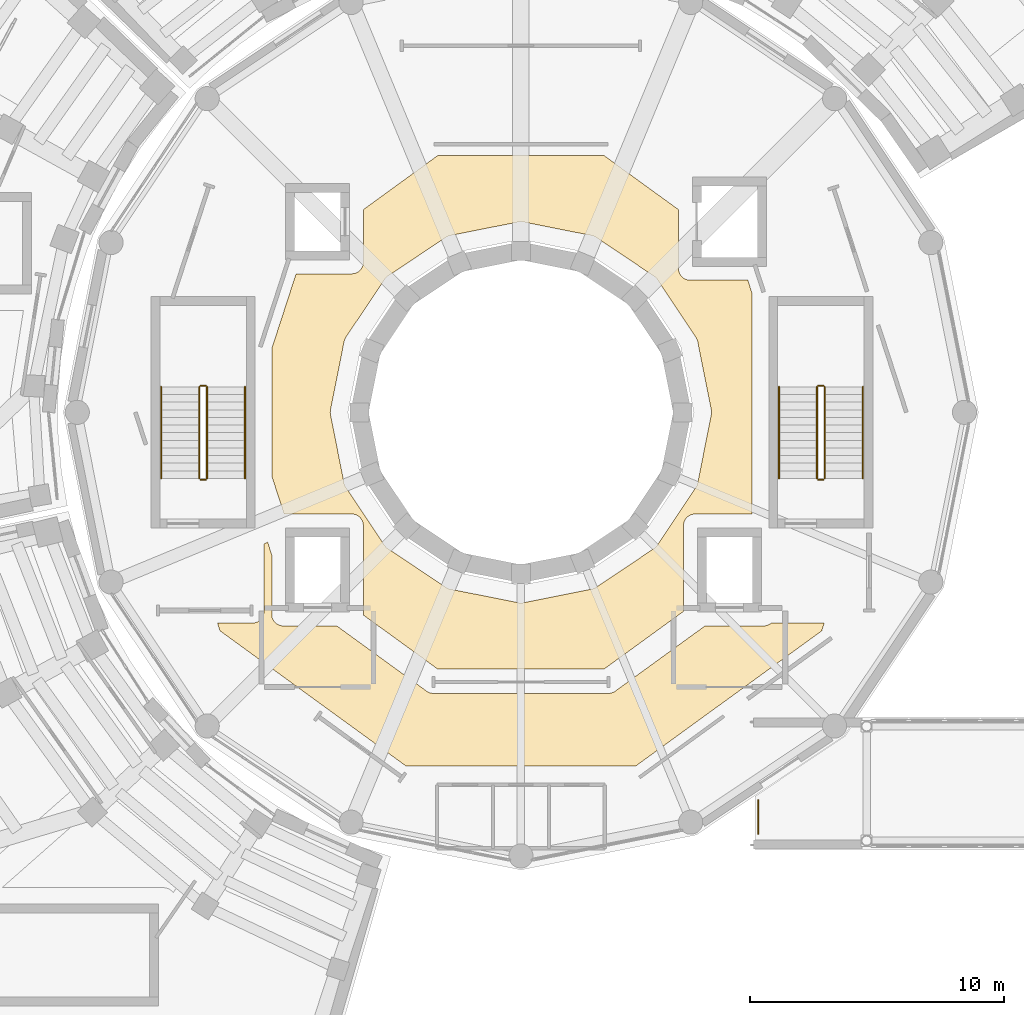
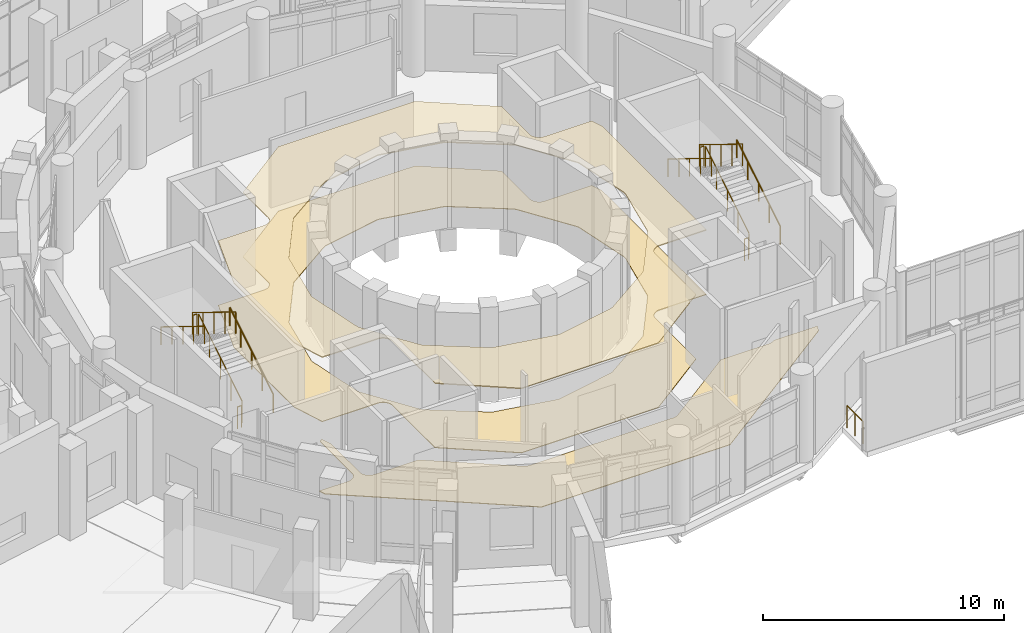
# One storey, part 77 of 89: 13 railings, 3 coverings.
"""IFC4 building model written with IfcOpenShell, lengths in metres."""

import ifcopenshell
import ifcopenshell.guid

model = None  # the IFC model being written
_history = None  # IfcOwnerHistory: only IFC2X3 demands one
_inside = {}  # id of a spatial element -> (the spatial element, [elements in it])
_under = {}  # id of a project, library or spatial element -> (it, [spatial elements below it])
_declared = {}  # id of a project -> (the project, [libraries it declares])
_typed = {}  # id of a type object -> (the type object, [elements of that type])
_made_of = {}  # id of a material, layer set ... -> (it, [elements and type objects made of it])


def new_model(schema):
    """Start an empty IFC model of exactly this schema.

    Asked for "IFC4X3", IfcOpenShell would pick the latest addendum, in which some entities
    have other attributes; the version numbers below select the first issue.
    IFC2X3 requires an IfcOwnerHistory on every rooted entity: one is made here for all.
    """
    global model, _history
    if schema == "IFC4X3":
        model = ifcopenshell.file(schema_version=(4, 3, 0, 0))
    else:
        model = ifcopenshell.file(schema=schema)
    _inside.clear()
    _under.clear()
    _declared.clear()
    _typed.clear()
    _made_of.clear()
    _history = None
    if model.schema == "IFC2X3":
        org = make("IfcOrganization", Name="unknown")
        user = make(
            "IfcPersonAndOrganization",
            ThePerson=make("IfcPerson", FamilyName="unknown"),
            TheOrganization=org,
        )
        app = make(
            "IfcApplication",
            ApplicationDeveloper=org,
            Version="unknown",
            ApplicationFullName="unknown",
            ApplicationIdentifier="unknown",
        )
        _history = make(
            "IfcOwnerHistory",
            OwningUser=user,
            OwningApplication=app,
            ChangeAction="ADDED",
            CreationDate=0,
        )
    return model


def make(cls, **values):
    """One entity of the class cls with the attributes given. An attribute that is None is left unset."""
    return model.create_entity(
        cls, **{name: value for name, value in values.items() if value is not None}
    )


def rooted(cls, **values):
    """An entity with a GlobalId (a new one), such as an element, a storey or a relation."""
    return make(cls, GlobalId=ifcopenshell.guid.new(), OwnerHistory=_history, **values)


def si_unit(unit_type, name, prefix=None):
    """IfcSIUnit, for example si_unit("LENGTHUNIT", "METRE", prefix="MILLI")."""
    return make("IfcSIUnit", UnitType=unit_type, Prefix=prefix, Name=name)


def assignment(units):
    """IfcUnitAssignment: the units of a project."""
    return None if units is None else make("IfcUnitAssignment", Units=units)


def point(xyz):
    """IfcCartesianPoint."""
    return None if xyz is None else make("IfcCartesianPoint", Coordinates=xyz)


def direction(xyz):
    """IfcDirection."""
    return None if xyz is None else make("IfcDirection", DirectionRatios=xyz)


def frame(location, z_axis=None, x_axis=None):
    """IfcAxis2Placement3D, a coordinate frame: its origin and axes. An axis left out is left unset."""
    return make(
        "IfcAxis2Placement3D",
        Location=point(location),
        Axis=direction(z_axis),
        RefDirection=direction(x_axis),
    )


def frame_2d(location, x_axis=None):
    """IfcAxis2Placement2D, a coordinate frame in the plane: its origin and x axis."""
    return make(
        "IfcAxis2Placement2D", Location=point(location), RefDirection=direction(x_axis)
    )


def origin():
    """The frame at (0, 0, 0) with its axes left unset."""
    return frame((0.0, 0.0, 0.0))


def origin_2d():
    """The frame at (0, 0) in the plane with its x axis left unset."""
    return frame_2d((0.0, 0.0))


def place(relative_to, where):
    """IfcLocalPlacement: puts the frame where relative to a parent placement (None: the world)."""
    return make(
        "IfcLocalPlacement", PlacementRelTo=relative_to, RelativePlacement=where
    )


def context(
    kind, dimensions, precision=None, world=None, true_north=None, identifier=None
):
    """IfcGeometricRepresentationContext, for example the 3D "Model" context."""
    return make(
        "IfcGeometricRepresentationContext",
        ContextIdentifier=identifier,
        ContextType=kind,
        CoordinateSpaceDimension=dimensions,
        Precision=precision,
        WorldCoordinateSystem=world,
        TrueNorth=true_north,
    )


def subcontext(parent, identifier, kind, view, scale=None):
    """IfcGeometricRepresentationSubContext, for example "Body" below "Model"."""
    return make(
        "IfcGeometricRepresentationSubContext",
        ContextIdentifier=identifier,
        ContextType=kind,
        ParentContext=parent,
        TargetScale=scale,
        TargetView=view,
    )


def project(units=None, contexts=None):
    """IfcProject with its units and contexts."""
    return rooted(
        "IfcProject",
        Name="project",
        RepresentationContexts=contexts,
        UnitsInContext=assignment(units),
    )


def spatial(cls, under=None, at=None, **own):
    """A site, building, storey or space (cls), placed at a placement, below another one or the project."""
    s = rooted(cls, ObjectPlacement=at, **own)
    if under is not None:
        _under.setdefault(under.id(), (under, []))[1].append(s)
    return s


def polyline(points):
    """IfcPolyline through the points."""
    return make("IfcPolyline", Points=[point(p) for p in points])


def profile(cls, at=None, kind="AREA", **sizes):
    """A parametric profile (cls). Its sizes go by their IFC names, for example OverallWidth=200.0."""
    return make(cls, ProfileType=kind, Position=at, **sizes)


def circle(**sizes):
    """IfcCircleProfileDef."""
    return profile("IfcCircleProfileDef", **sizes)


def outline(outer, holes=None, kind="AREA"):
    """IfcArbitraryClosedProfileDef: a profile drawn as a closed curve; with holes, ...WithVoids."""
    if holes is None:
        return make("IfcArbitraryClosedProfileDef", ProfileType=kind, OuterCurve=outer)
    return make(
        "IfcArbitraryProfileDefWithVoids",
        ProfileType=kind,
        OuterCurve=outer,
        InnerCurves=holes,
    )


def extrude(swept, where, along, depth):
    """IfcExtrudedAreaSolid: the profile swept, set in the frame where, extruded along a direction by depth."""
    return make(
        "IfcExtrudedAreaSolid",
        SweptArea=swept,
        Position=where,
        ExtrudedDirection=direction(along),
        Depth=depth,
    )


def shape(context_of_items, identifier, shape_type, items):
    """IfcShapeRepresentation: the items that make up one representation, for example the "Body"."""
    return make(
        "IfcShapeRepresentation",
        ContextOfItems=context_of_items,
        RepresentationIdentifier=identifier,
        RepresentationType=shape_type,
        Items=items,
    )


def material(Name=None, Category=None):
    """IfcMaterial."""
    return make("IfcMaterial", Name=Name, Category=Category)


def layer(
    of_material, thickness, ventilated=None, Name=None, Category=None, Priority=None
):
    """IfcMaterialLayer: one layer of a wall or slab, of a material (None: an air gap)."""
    return make(
        "IfcMaterialLayer",
        Material=of_material,
        LayerThickness=thickness,
        IsVentilated=ventilated,
        Name=Name,
        Category=Category,
        Priority=Priority,
    )


def layer_set(layers, Name=None):
    """IfcMaterialLayerSet."""
    return make("IfcMaterialLayerSet", MaterialLayers=layers, LayerSetName=Name)


def made_of(thing, what):
    """Note that an element or type object is made of a material, layer set ...; save() writes the relation."""
    if what is not None:
        _made_of.setdefault(what.id(), (what, []))[1].append(thing)
    return thing


def type_object(cls, material=None, **own):
    """A type object (cls), such as IfcWallType, which elements share."""
    return made_of(rooted(cls, **own), material)


def element(
    cls,
    number,
    at=None,
    inside=None,
    cuts=None,
    type_object=None,
    material=None,
    context=None,
    identifier="Body",
    shape_type=None,
    held_by="IfcProductDefinitionShape",
    body=None,
    shapes=None,
    **own,
):
    """One element of the class cls, such as IfcWall. Its Tag is "e" and its number.

    at: its placement. inside: the storey or other place that contains it. cuts: it is an
    opening in that element (IfcRelVoidsElement). A single representation is given by context,
    identifier, shape_type and body (its items); several are given by shapes. held_by: the class
    of the entity that holds the representations. save() writes the other relations.
    """
    e = rooted(cls, Tag="e%d" % number, ObjectPlacement=at, **own)
    if body is not None:
        shapes = [shape(context, identifier, shape_type, body)]
    if shapes is not None:
        e.Representation = make(held_by, Representations=shapes)
    if inside is not None:
        _inside.setdefault(inside.id(), (inside, []))[1].append(e)
    if cuts is not None:
        rooted(
            "IfcRelVoidsElement", RelatingBuildingElement=cuts, RelatedOpeningElement=e
        )
    if type_object is not None:
        _typed.setdefault(type_object.id(), (type_object, []))[1].append(e)
    return made_of(e, material)


def aggregate(whole, parts):
    """IfcRelAggregates: a whole, such as a stair, and the parts it consists of."""
    return rooted("IfcRelAggregates", RelatingObject=whole, RelatedObjects=parts)


def save(model, path):
    """Write the relations noted so far, then the file.

    IfcRelAggregates (storeys below a building ...), IfcRelContainedInSpatialStructure (elements
    in a storey), IfcRelDefinesByType, IfcRelAssociatesMaterial and IfcRelDeclares: one each for
    every whole, place, type object, material and project.
    """
    for whole, parts in _under.values():
        aggregate(whole, parts)
    for where, things in _inside.values():
        rooted(
            "IfcRelContainedInSpatialStructure",
            RelatedElements=things,
            RelatingStructure=where,
        )
    for kind, things in _typed.values():
        rooted("IfcRelDefinesByType", RelatedObjects=things, RelatingType=kind)
    for what, things in _made_of.values():
        rooted("IfcRelAssociatesMaterial", RelatedObjects=things, RelatingMaterial=what)
    for by, libraries in _declared.values():
        rooted("IfcRelDeclares", RelatingContext=by, RelatedDefinitions=libraries)
    model.write(path)


model = new_model("IFC4")

# Units and contexts
model_context = context("Model", 3, precision=1e-05, world=origin(), true_north=direction((0.0, 1.0)))
body_context = subcontext(model_context, "Body", "Model", "MODEL_VIEW")
ifc_project = project(units=[si_unit("LENGTHUNIT", "METRE"), si_unit("AREAUNIT", "SQUARE_METRE"), si_unit("VOLUMEUNIT", "CUBIC_METRE"), si_unit("PLANEANGLEUNIT", "RADIAN"), si_unit("MASSUNIT", "GRAM", prefix="KILO")], contexts=[model_context])

# Site, building, storey
site_placement = place(None, origin())
site = spatial("IfcSite", under=ifc_project, at=site_placement, CompositionType="ELEMENT")
building_placement = place(site_placement, origin())
building = spatial("IfcBuilding", under=site, at=building_placement, Name="Soyqirgoq Riverine Aquarium", CompositionType="ELEMENT")
storey_placement = place(building_placement, frame((0.0, 0.0, 5.39990234375)))
storey = spatial("IfcBuildingStorey", under=building, at=storey_placement, Name="L02", CompositionType="ELEMENT", Elevation=5.39990234375)

# Covering
ifc_material_1 = material(Name="Perforated mineral-fibre acoustic ceiling", Category="gypsum")
ifc_layer_1 = layer(ifc_material_1, 0.050048828125)
ifc_layer_set_1 = layer_set([ifc_layer_1], Name="Perforated mineral-fibre acoustic ceiling")
covering_type_1 = type_object("IfcCoveringType", Name="AcousticBaffleCeiling_50", PredefinedType="CEILING", material=ifc_layer_set_1)
covering_1_placement = place(storey_placement, frame((0.0, 0.0, 3.25)))
element("IfcCovering", 1, at=covering_1_placement, inside=storey, type_object=covering_type_1, Name="Shoaling Pelagic Gallery Suspended Ceiling", PredefinedType="CEILING", context=body_context, shape_type="SweptSolid", body=[
    extrude(outline(polyline([(46.199951171875, 54.49609375), (46.199951171875, 59.50390625), (47.156982421875, 62.449951171875), (49.35009765625, 62.449951171875), (49.39404296875, 62.451904296875), (49.43798828125, 62.458984375), (49.48095703125, 62.468994140625), (49.52197265625, 62.48388671875), (49.56201171875, 62.5029296875), (49.60009765625, 62.52587890625), (49.635009765625, 62.552001953125), (49.66796875, 62.58203125), (49.697998046875, 62.614990234375), (49.72412109375, 62.64990234375), (49.7470703125, 62.68798828125), (49.76611328125, 62.72802734375), (49.781005859375, 62.76904296875), (49.791015625, 62.81201171875), (49.798095703125, 62.85595703125), (49.800048828125, 62.89990234375), (49.800048828125, 64.972900390625), (52.719970703125, 67.093994140625), (59.280029296875, 67.093994140625), (62.199951171875, 64.972900390625), (62.199951171875, 62.64990234375), (62.201904296875, 62.60595703125), (62.208984375, 62.56201171875), (62.218994140625, 62.51904296875), (62.23388671875, 62.47802734375), (62.2529296875, 62.43798828125), (62.27587890625, 62.39990234375), (62.302001953125, 62.364990234375), (62.33203125, 62.33203125), (62.364990234375, 62.302001953125), (62.39990234375, 62.27587890625), (62.43798828125, 62.2529296875), (62.47802734375, 62.23388671875), (62.51904296875, 62.218994140625), (62.56201171875, 62.208984375), (62.60595703125, 62.201904296875), (62.64990234375, 62.199951171875), (64.924072265625, 62.199951171875), (65.10009765625, 61.658935546875), (65.10009765625, 53.0), (62.85009765625, 53.0), (62.805908203125, 52.998046875), (62.761962890625, 52.990966796875), (62.718994140625, 52.98095703125), (62.677978515625, 52.966064453125), (62.637939453125, 52.947021484375), (62.60009765625, 52.924072265625), (62.56494140625, 52.89794921875), (62.531982421875, 52.867919921875), (62.501953125, 52.8349609375), (62.47607421875, 52.800048828125), (62.452880859375, 52.761962890625), (62.43408203125, 52.721923828125), (62.4189453125, 52.680908203125), (62.408935546875, 52.637939453125), (62.402099609375, 52.593994140625), (62.39990234375, 52.550048828125), (62.39990234375, 49.173095703125), (59.280029296875, 46.906005859375), (52.719970703125, 46.906005859375), (49.799072265625, 49.028076171875), (49.800048828125, 49.050048828125), (49.800048828125, 52.550048828125), (49.798095703125, 52.593994140625), (49.791015625, 52.637939453125), (49.781005859375, 52.680908203125), (49.76611328125, 52.721923828125), (49.7470703125, 52.761962890625), (49.72412109375, 52.800048828125), (49.697998046875, 52.8349609375), (49.66796875, 52.867919921875), (49.635009765625, 52.89794921875), (49.60009765625, 52.924072265625), (49.56201171875, 52.947021484375), (49.52197265625, 52.966064453125), (49.48095703125, 52.98095703125), (49.43798828125, 52.990966796875), (49.39404296875, 52.998046875), (49.35009765625, 53.0), (46.68603515625, 53.0), (46.199951171875, 54.49609375)]), holes=[polyline([(62.955078125, 54.214111328125), (62.944091796875, 54.1708984375), (62.928955078125, 54.1298828125), (62.909912109375, 54.090087890625), (62.887939453125, 54.052001953125), (61.35888671875, 51.764892578125), (61.3330078125, 51.72900390625), (61.302978515625, 51.697021484375), (61.27099609375, 51.6669921875), (61.235107421875, 51.64111328125), (58.947998046875, 50.112060546875), (58.909912109375, 50.090087890625), (58.8701171875, 50.071044921875), (58.8291015625, 50.055908203125), (58.785888671875, 50.044921875), (56.087890625, 49.509033203125), (56.0439453125, 49.501953125), (56.0, 49.5), (55.9560546875, 49.501953125), (55.912109375, 49.509033203125), (53.214111328125, 50.044921875), (53.1708984375, 50.055908203125), (53.1298828125, 50.071044921875), (53.090087890625, 50.090087890625), (53.052001953125, 50.112060546875), (50.764892578125, 51.64111328125), (50.72900390625, 51.6669921875), (50.697021484375, 51.697021484375), (50.6669921875, 51.72900390625), (50.64111328125, 51.764892578125), (49.112060546875, 54.052001953125), (49.090087890625, 54.090087890625), (49.071044921875, 54.1298828125), (49.055908203125, 54.1708984375), (49.044921875, 54.214111328125), (48.509033203125, 56.912109375), (48.501953125, 56.9560546875), (48.5, 57.0), (48.501953125, 57.0439453125), (48.509033203125, 57.087890625), (49.044921875, 59.785888671875), (49.055908203125, 59.8291015625), (49.071044921875, 59.8701171875), (49.090087890625, 59.909912109375), (49.112060546875, 59.947998046875), (50.64111328125, 62.235107421875), (50.6669921875, 62.27099609375), (50.697021484375, 62.302978515625), (50.72900390625, 62.3330078125), (50.764892578125, 62.35888671875), (53.052001953125, 63.887939453125), (53.090087890625, 63.909912109375), (53.1298828125, 63.928955078125), (53.1708984375, 63.944091796875), (53.214111328125, 63.955078125), (55.912109375, 64.490966796875), (55.9560546875, 64.498046875), (56.0, 64.5), (56.0439453125, 64.498046875), (56.087890625, 64.490966796875), (58.785888671875, 63.955078125), (58.8291015625, 63.944091796875), (58.8701171875, 63.928955078125), (58.909912109375, 63.909912109375), (58.947998046875, 63.887939453125), (61.235107421875, 62.35888671875), (61.27099609375, 62.3330078125), (61.302978515625, 62.302978515625), (61.3330078125, 62.27099609375), (61.35888671875, 62.235107421875), (62.887939453125, 59.947998046875), (62.909912109375, 59.909912109375), (62.928955078125, 59.8701171875), (62.944091796875, 59.8291015625), (62.955078125, 59.785888671875), (63.490966796875, 57.087890625), (63.498046875, 57.0439453125), (63.5, 57.0), (63.498046875, 56.9560546875), (63.490966796875, 56.912109375), (62.955078125, 54.214111328125)])]), origin(), (0.0, 0.0, 1.0), 0.050048828125),
])

# Railings
ifc_material_2 = material(Name="Brushed stainless steel 316L tubular handrail", Category="steel")
railing_type_1 = type_object("IfcRailingType", Name="StairPitchHandrail_920", PredefinedType="HANDRAIL", material=ifc_material_2)
railing_1_placement = place(storey_placement, frame((69.449951171875, 54.39990234375, 0.184814453125)))
element("IfcRailing", 2, at=railing_1_placement, inside=storey, type_object=railing_type_1, Name="L02 ST-1 stair handrail 1", PredefinedType="HANDRAIL", context=body_context, shape_type="SweptSolid", body=[
    extrude(circle(Radius=0.02392578125, at=origin_2d()), frame((0.0, 0.0, 0.89990234375), z_axis=(0.0, 0.85167021472, 0.524078090897), x_axis=(-1.0, 0.0, 0.0)), (0.0, 0.0, 1.0), 4.22705078125),
    extrude(circle(Radius=0.02099609375, at=origin_2d()), origin(), (0.0, 0.0, 1.0), 0.875732421875),
    extrude(circle(Radius=0.02099609375, at=origin_2d()), frame((0.0, 0.89990234375, 0.5537109375)), (0.0, 0.0, 1.0), 0.875732421875),
    extrude(circle(Radius=0.02099609375, at=origin_2d()), frame((0.0, 1.800048828125, 1.107666015625)), (0.0, 0.0, 1.0), 0.875732421875),
    extrude(circle(Radius=0.02099609375, at=origin_2d()), frame((0.0, 2.7001953125, 1.66162109375)), (0.0, 0.0, 1.0), 0.875732421875),
    extrude(circle(Radius=0.02099609375, at=origin_2d()), frame((0.0, 3.60009765625, 2.21533203125)), (0.0, 0.0, 1.0), 0.875732421875),
])
railing_2_placement = place(storey_placement, frame((66.14990234375, 58.0, 2.584716796875)))
element("IfcRailing", 3, at=railing_2_placement, inside=storey, type_object=railing_type_1, Name="L02 ST-1 stair handrail 2", PredefinedType="HANDRAIL", context=body_context, shape_type="SweptSolid", body=[
    extrude(circle(Radius=0.02392578125, at=origin_2d()), frame((0.0, 0.0, 0.89990234375), z_axis=(0.0, -0.85167021472, 0.524078090897), x_axis=(1.0, 0.0, 0.0)), (0.0, 0.0, 1.0), 4.22705078125),
    extrude(circle(Radius=0.02099609375, at=origin_2d()), origin(), (0.0, 0.0, 1.0), 0.875732421875),
    extrude(circle(Radius=0.02099609375, at=origin_2d()), frame((0.0, -0.89990234375, 0.5537109375)), (0.0, 0.0, 1.0), 0.875732421875),
    extrude(circle(Radius=0.02099609375, at=origin_2d()), frame((0.0, -1.800048828125, 1.107666015625)), (0.0, 0.0, 1.0), 0.875732421875),
    extrude(circle(Radius=0.02099609375, at=origin_2d()), frame((0.0, -2.7001953125, 1.66162109375)), (0.0, 0.0, 1.0), 0.875732421875),
    extrude(circle(Radius=0.02099609375, at=origin_2d()), frame((0.0, -3.60009765625, 2.21533203125)), (0.0, 0.0, 1.0), 0.875732421875),
])
railing_3_placement = place(storey_placement, frame((45.14990234375, 54.39990234375, 0.184814453125)))
element("IfcRailing", 4, at=railing_3_placement, inside=storey, type_object=railing_type_1, Name="L02 ST-9 stair handrail 1", PredefinedType="HANDRAIL", context=body_context, shape_type="SweptSolid", body=[
    extrude(circle(Radius=0.02392578125, at=origin_2d()), frame((0.0, 0.0, 0.89990234375), z_axis=(0.0, 0.85167021472, 0.524078090897), x_axis=(-1.0, 0.0, 0.0)), (0.0, 0.0, 1.0), 4.22705078125),
    extrude(circle(Radius=0.02099609375, at=origin_2d()), origin(), (0.0, 0.0, 1.0), 0.875732421875),
    extrude(circle(Radius=0.02099609375, at=origin_2d()), frame((0.0, 0.89990234375, 0.5537109375)), (0.0, 0.0, 1.0), 0.875732421875),
    extrude(circle(Radius=0.02099609375, at=origin_2d()), frame((0.0, 1.800048828125, 1.107666015625)), (0.0, 0.0, 1.0), 0.875732421875),
    extrude(circle(Radius=0.02099609375, at=origin_2d()), frame((0.0, 2.7001953125, 1.66162109375)), (0.0, 0.0, 1.0), 0.875732421875),
    extrude(circle(Radius=0.02099609375, at=origin_2d()), frame((0.0, 3.60009765625, 2.21533203125)), (0.0, 0.0, 1.0), 0.875732421875),
])
railing_4_placement = place(storey_placement, frame((41.85009765625, 58.0, 2.584716796875)))
element("IfcRailing", 5, at=railing_4_placement, inside=storey, type_object=railing_type_1, Name="L02 ST-9 stair handrail 2", PredefinedType="HANDRAIL", context=body_context, shape_type="SweptSolid", body=[
    extrude(circle(Radius=0.02392578125, at=origin_2d()), frame((0.0, 0.0, 0.89990234375), z_axis=(0.0, -0.85167021472, 0.524078090897), x_axis=(1.0, 0.0, 0.0)), (0.0, 0.0, 1.0), 4.22705078125),
    extrude(circle(Radius=0.02099609375, at=origin_2d()), origin(), (0.0, 0.0, 1.0), 0.875732421875),
    extrude(circle(Radius=0.02099609375, at=origin_2d()), frame((0.0, -0.89990234375, 0.5537109375)), (0.0, 0.0, 1.0), 0.875732421875),
    extrude(circle(Radius=0.02099609375, at=origin_2d()), frame((0.0, -1.800048828125, 1.107666015625)), (0.0, 0.0, 1.0), 0.875732421875),
    extrude(circle(Radius=0.02099609375, at=origin_2d()), frame((0.0, -2.7001953125, 1.66162109375)), (0.0, 0.0, 1.0), 0.875732421875),
    extrude(circle(Radius=0.02099609375, at=origin_2d()), frame((0.0, -3.60009765625, 2.21533203125)), (0.0, 0.0, 1.0), 0.875732421875),
])
ifc_material_3 = material(Name="Painted steel infill stair-well guardrail", Category="steel")
railing_type_2 = type_object("IfcRailingType", Name="StairWellGuard_1120", PredefinedType="GUARDRAIL", material=ifc_material_3)
railing_5_placement = place(storey_placement, frame((67.949951171875, 54.39990234375, 0.184814453125)))
element("IfcRailing", 6, at=railing_5_placement, inside=storey, type_object=railing_type_2, Name="L02 ST-1 stair guard 1", PredefinedType="GUARDRAIL", context=body_context, shape_type="SweptSolid", body=[
    extrude(circle(Radius=0.02392578125, at=origin_2d()), frame((0.0, 0.0, 1.09619140625), z_axis=(0.0, 0.85167021472, 0.524078090897), x_axis=(-1.0, 0.0, 0.0)), (0.0, 0.0, 1.0), 4.22705078125),
    extrude(circle(Radius=0.02099609375, at=origin_2d()), origin(), (0.0, 0.0, 1.0), 1.072021484375),
    extrude(circle(Radius=0.02099609375, at=origin_2d()), frame((0.0, 0.89990234375, 0.5537109375)), (0.0, 0.0, 1.0), 1.072021484375),
    extrude(circle(Radius=0.02099609375, at=origin_2d()), frame((0.0, 1.800048828125, 1.107666015625)), (0.0, 0.0, 1.0), 1.072021484375),
    extrude(circle(Radius=0.02099609375, at=origin_2d()), frame((0.0, 2.7001953125, 1.66162109375)), (0.0, 0.0, 1.0), 1.072021484375),
    extrude(circle(Radius=0.02099609375, at=origin_2d()), frame((0.0, 3.60009765625, 2.21533203125)), (0.0, 0.0, 1.0), 1.072021484375),
])
railing_6_placement = place(storey_placement, frame((67.89990234375, 58.050048828125, 2.400146484375)))
element("IfcRailing", 7, at=railing_6_placement, inside=storey, type_object=railing_type_2, Name="L02 ST-1 stair guard 2", PredefinedType="GUARDRAIL", context=body_context, shape_type="SweptSolid", body=[
    extrude(circle(Radius=0.02392578125, at=origin_2d()), frame((0.0, 0.0, 1.09619140625), z_axis=(-1.0, 0.0, 0.0), x_axis=(0.0, -1.0, 0.0)), (0.0, 0.0, 1.0), 0.199951171875),
    extrude(circle(Radius=0.02099609375, at=origin_2d()), origin(), (0.0, 0.0, 1.0), 1.072021484375),
    extrude(circle(Radius=0.02099609375, at=origin_2d()), frame((-0.199951171875, 0.0, 0.0)), (0.0, 0.0, 1.0), 1.072021484375),
])
railing_7_placement = place(storey_placement, frame((67.64990234375, 58.0, 2.584716796875)))
element("IfcRailing", 8, at=railing_7_placement, inside=storey, type_object=railing_type_2, Name="L02 ST-1 stair guard 3", PredefinedType="GUARDRAIL", context=body_context, shape_type="SweptSolid", body=[
    extrude(circle(Radius=0.02392578125, at=origin_2d()), frame((0.0, 0.0, 1.09619140625), z_axis=(0.0, -0.85167021472, 0.524078090897), x_axis=(1.0, 0.0, 0.0)), (0.0, 0.0, 1.0), 4.22705078125),
    extrude(circle(Radius=0.02099609375, at=origin_2d()), origin(), (0.0, 0.0, 1.0), 1.072021484375),
    extrude(circle(Radius=0.02099609375, at=origin_2d()), frame((0.0, -0.89990234375, 0.5537109375)), (0.0, 0.0, 1.0), 1.072021484375),
    extrude(circle(Radius=0.02099609375, at=origin_2d()), frame((0.0, -1.800048828125, 1.107666015625)), (0.0, 0.0, 1.0), 1.072021484375),
    extrude(circle(Radius=0.02099609375, at=origin_2d()), frame((0.0, -2.7001953125, 1.66162109375)), (0.0, 0.0, 1.0), 1.072021484375),
    extrude(circle(Radius=0.02099609375, at=origin_2d()), frame((0.0, -3.60009765625, 2.21533203125)), (0.0, 0.0, 1.0), 1.072021484375),
])
railing_8_placement = place(storey_placement, frame((67.89990234375, 54.35009765625, 0.0)))
element("IfcRailing", 9, at=railing_8_placement, inside=storey, type_object=railing_type_2, Name="L02 ST-1 stair guard 4", PredefinedType="GUARDRAIL", context=body_context, shape_type="SweptSolid", body=[
    extrude(circle(Radius=0.02392578125, at=origin_2d()), frame((0.0, 0.0, 1.09619140625), z_axis=(-1.0, 0.0, 0.0), x_axis=(0.0, -1.0, 0.0)), (0.0, 0.0, 1.0), 0.199951171875),
    extrude(circle(Radius=0.02099609375, at=origin_2d()), origin(), (0.0, 0.0, 1.0), 1.072021484375),
    extrude(circle(Radius=0.02099609375, at=origin_2d()), frame((-0.199951171875, 0.0, 0.0)), (0.0, 0.0, 1.0), 1.072021484375),
])
railing_9_placement = place(storey_placement, frame((43.64990234375, 54.39990234375, 0.184814453125)))
element("IfcRailing", 10, at=railing_9_placement, inside=storey, type_object=railing_type_2, Name="L02 ST-9 stair guard 1", PredefinedType="GUARDRAIL", context=body_context, shape_type="SweptSolid", body=[
    extrude(circle(Radius=0.02392578125, at=origin_2d()), frame((0.0, 0.0, 1.09619140625), z_axis=(0.0, 0.85167021472, 0.524078090897), x_axis=(-1.0, 0.0, 0.0)), (0.0, 0.0, 1.0), 4.22705078125),
    extrude(circle(Radius=0.02099609375, at=origin_2d()), origin(), (0.0, 0.0, 1.0), 1.072021484375),
    extrude(circle(Radius=0.02099609375, at=origin_2d()), frame((0.0, 0.89990234375, 0.5537109375)), (0.0, 0.0, 1.0), 1.072021484375),
    extrude(circle(Radius=0.02099609375, at=origin_2d()), frame((0.0, 1.800048828125, 1.107666015625)), (0.0, 0.0, 1.0), 1.072021484375),
    extrude(circle(Radius=0.02099609375, at=origin_2d()), frame((0.0, 2.7001953125, 1.66162109375)), (0.0, 0.0, 1.0), 1.072021484375),
    extrude(circle(Radius=0.02099609375, at=origin_2d()), frame((0.0, 3.60009765625, 2.21533203125)), (0.0, 0.0, 1.0), 1.072021484375),
])
railing_10_placement = place(storey_placement, frame((43.60009765625, 58.050048828125, 2.400146484375)))
element("IfcRailing", 11, at=railing_10_placement, inside=storey, type_object=railing_type_2, Name="L02 ST-9 stair guard 2", PredefinedType="GUARDRAIL", context=body_context, shape_type="SweptSolid", body=[
    extrude(circle(Radius=0.02392578125, at=origin_2d()), frame((0.0, 0.0, 1.09619140625), z_axis=(-1.0, 0.0, 0.0), x_axis=(0.0, -1.0, 0.0)), (0.0, 0.0, 1.0), 0.2001953125),
    extrude(circle(Radius=0.02099609375, at=origin_2d()), origin(), (0.0, 0.0, 1.0), 1.072021484375),
    extrude(circle(Radius=0.02099609375, at=origin_2d()), frame((-0.2001953125, 0.0, 0.0)), (0.0, 0.0, 1.0), 1.072021484375),
])
railing_11_placement = place(storey_placement, frame((43.35009765625, 58.0, 2.584716796875)))
element("IfcRailing", 12, at=railing_11_placement, inside=storey, type_object=railing_type_2, Name="L02 ST-9 stair guard 3", PredefinedType="GUARDRAIL", context=body_context, shape_type="SweptSolid", body=[
    extrude(circle(Radius=0.02392578125, at=origin_2d()), frame((0.0, 0.0, 1.09619140625), z_axis=(0.0, -0.85167021472, 0.524078090897), x_axis=(1.0, 0.0, 0.0)), (0.0, 0.0, 1.0), 4.22705078125),
    extrude(circle(Radius=0.02099609375, at=origin_2d()), origin(), (0.0, 0.0, 1.0), 1.072021484375),
    extrude(circle(Radius=0.02099609375, at=origin_2d()), frame((0.0, -0.89990234375, 0.5537109375)), (0.0, 0.0, 1.0), 1.072021484375),
    extrude(circle(Radius=0.02099609375, at=origin_2d()), frame((0.0, -1.800048828125, 1.107666015625)), (0.0, 0.0, 1.0), 1.072021484375),
    extrude(circle(Radius=0.02099609375, at=origin_2d()), frame((0.0, -2.7001953125, 1.66162109375)), (0.0, 0.0, 1.0), 1.072021484375),
    extrude(circle(Radius=0.02099609375, at=origin_2d()), frame((0.0, -3.60009765625, 2.21533203125)), (0.0, 0.0, 1.0), 1.072021484375),
])
railing_12_placement = place(storey_placement, frame((43.60009765625, 54.35009765625, 0.0)))
element("IfcRailing", 13, at=railing_12_placement, inside=storey, type_object=railing_type_2, Name="L02 ST-9 stair guard 4", PredefinedType="GUARDRAIL", context=body_context, shape_type="SweptSolid", body=[
    extrude(circle(Radius=0.02392578125, at=origin_2d()), frame((0.0, 0.0, 1.09619140625), z_axis=(-1.0, 0.0, 0.0), x_axis=(0.0, -1.0, 0.0)), (0.0, 0.0, 1.0), 0.2001953125),
    extrude(circle(Radius=0.02099609375, at=origin_2d()), origin(), (0.0, 0.0, 1.0), 1.072021484375),
    extrude(circle(Radius=0.02099609375, at=origin_2d()), frame((-0.2001953125, 0.0, 0.0)), (0.0, 0.0, 1.0), 1.072021484375),
])
ifc_material_4 = material(Name="Laminated safety glass and stainless steel balustrade", Category="steel")
railing_type_3 = type_object("IfcRailingType", Name="TerraceGuard_1150", PredefinedType="BALUSTRADE", material=ifc_material_4)
railing_13_placement = place(storey_placement, frame((65.340087890625, 40.419921875, 0.0)))
element("IfcRailing", 14, at=railing_13_placement, inside=storey, type_object=railing_type_3, Name="BR-1 L02 Floor Edge Balustrade 095", PredefinedType="BALUSTRADE", context=body_context, shape_type="SweptSolid", body=[
    extrude(circle(Radius=0.02392578125, at=origin_2d()), frame((0.0, 0.0, 1.1259765625), z_axis=(0.0, 1.0, 0.0), x_axis=(-1.0, 0.0, 0.0)), (0.0, 0.0, 1.0), 1.323974609375),
    extrude(circle(Radius=0.02099609375, at=origin_2d()), origin(), (0.0, 0.0, 1.0), 1.101806640625),
    extrude(circle(Radius=0.02099609375, at=origin_2d()), frame((0.0, 0.662109375, 0.0)), (0.0, 0.0, 1.0), 1.101806640625),
    extrude(circle(Radius=0.02099609375, at=origin_2d()), frame((0.0, 1.323974609375, 0.0)), (0.0, 0.0, 1.0), 1.101806640625),
])

# Coverings
ifc_material_5 = material(Name="Polished Chirchiq river-pebble terrazzo flooring", Category="concrete")
ifc_layer_2 = layer(ifc_material_5, 0.030029296875)
ifc_layer_set_2 = layer_set([ifc_layer_2], Name="Polished Chirchiq river-pebble terrazzo flooring")
covering_type_2 = type_object("IfcCoveringType", Name="TerrazzoFloorFinish_30", PredefinedType="FLOORING", material=ifc_layer_set_2)
covering_2_placement = place(storey_placement, origin())
element("IfcCovering", 15, at=covering_2_placement, inside=storey, type_object=covering_type_2, Name="Ocean Drum Circulation Corridor Floor Finish", PredefinedType="FLOORING", context=body_context, shape_type="SweptSolid", body=[
    extrude(outline(polyline([(45.43994140625, 48.7099609375), (45.48388671875, 48.7119140625), (45.528076171875, 48.718994140625), (45.571044921875, 48.72900390625), (45.612060546875, 48.743896484375), (45.652099609375, 48.762939453125), (45.68994140625, 48.785888671875), (45.72509765625, 48.81201171875), (45.758056640625, 48.842041015625), (45.7880859375, 48.875), (45.81396484375, 48.909912109375), (45.8369140625, 48.947998046875), (45.85595703125, 48.988037109375), (45.87109375, 49.029052734375), (45.881103515625, 49.072021484375), (45.887939453125, 49.115966796875), (45.889892578125, 49.159912109375), (45.889892578125, 51.822998046875), (45.922119140625, 51.833984375), (45.9619140625, 51.85302734375), (46.0, 51.8759765625), (46.033935546875, 51.90087890625), (46.199951171875, 51.388916015625), (46.199951171875, 49.050048828125), (46.201904296875, 49.006103515625), (46.208984375, 48.9619140625), (46.218994140625, 48.9189453125), (46.23388671875, 48.8779296875), (46.2529296875, 48.837890625), (46.27587890625, 48.800048828125), (46.302001953125, 48.764892578125), (46.33203125, 48.73193359375), (46.364990234375, 48.701904296875), (46.39990234375, 48.676025390625), (46.43798828125, 48.653076171875), (46.47802734375, 48.634033203125), (46.51904296875, 48.618896484375), (46.56201171875, 48.60888671875), (46.60595703125, 48.60205078125), (46.64990234375, 48.60009765625), (48.7548828125, 48.60009765625), (52.2900390625, 46.031982421875), (52.3291015625, 46.006103515625), (52.37109375, 45.985107421875), (52.4150390625, 45.968017578125), (52.4609375, 45.9560546875), (52.507080078125, 45.947998046875), (52.553955078125, 45.946044921875), (59.446044921875, 45.946044921875), (59.492919921875, 45.947998046875), (59.5390625, 45.9560546875), (59.5849609375, 45.968017578125), (59.62890625, 45.985107421875), (59.6708984375, 46.006103515625), (59.7099609375, 46.031982421875), (63.2451171875, 48.60009765625), (65.550048828125, 48.60009765625), (65.593994140625, 48.60205078125), (65.637939453125, 48.60888671875), (65.680908203125, 48.618896484375), (65.721923828125, 48.634033203125), (65.761962890625, 48.653076171875), (65.800048828125, 48.676025390625), (65.8349609375, 48.701904296875), (65.844970703125, 48.7109375), (65.860107421875, 48.7099609375), (67.93310546875, 48.7099609375), (67.8330078125, 48.403076171875), (60.52001953125, 43.089111328125), (51.47998046875, 43.089111328125), (44.1669921875, 48.403076171875), (44.06689453125, 48.7099609375), (45.43994140625, 48.7099609375)])), origin(), (0.0, 0.0, 1.0), 0.030029296875),
])
covering_3_placement = place(storey_placement, origin())
element("IfcCovering", 16, at=covering_3_placement, inside=storey, type_object=covering_type_2, Name="Shoaling Pelagic Gallery Floor Finish", PredefinedType="FLOORING", context=body_context, shape_type="SweptSolid", body=[
    extrude(outline(polyline([(46.199951171875, 54.49609375), (46.199951171875, 59.50390625), (47.156982421875, 62.449951171875), (49.35009765625, 62.449951171875), (49.39404296875, 62.451904296875), (49.43798828125, 62.458984375), (49.48095703125, 62.468994140625), (49.52197265625, 62.48388671875), (49.56201171875, 62.5029296875), (49.60009765625, 62.52587890625), (49.635009765625, 62.552001953125), (49.66796875, 62.58203125), (49.697998046875, 62.614990234375), (49.72412109375, 62.64990234375), (49.7470703125, 62.68798828125), (49.76611328125, 62.72802734375), (49.781005859375, 62.76904296875), (49.791015625, 62.81201171875), (49.798095703125, 62.85595703125), (49.800048828125, 62.89990234375), (49.800048828125, 64.972900390625), (52.719970703125, 67.093994140625), (59.280029296875, 67.093994140625), (62.199951171875, 64.972900390625), (62.199951171875, 62.64990234375), (62.201904296875, 62.60595703125), (62.208984375, 62.56201171875), (62.218994140625, 62.51904296875), (62.23388671875, 62.47802734375), (62.2529296875, 62.43798828125), (62.27587890625, 62.39990234375), (62.302001953125, 62.364990234375), (62.33203125, 62.33203125), (62.364990234375, 62.302001953125), (62.39990234375, 62.27587890625), (62.43798828125, 62.2529296875), (62.47802734375, 62.23388671875), (62.51904296875, 62.218994140625), (62.56201171875, 62.208984375), (62.60595703125, 62.201904296875), (62.64990234375, 62.199951171875), (64.924072265625, 62.199951171875), (65.10009765625, 61.658935546875), (65.10009765625, 53.0), (62.85009765625, 53.0), (62.805908203125, 52.998046875), (62.761962890625, 52.990966796875), (62.718994140625, 52.98095703125), (62.677978515625, 52.966064453125), (62.637939453125, 52.947021484375), (62.60009765625, 52.924072265625), (62.56494140625, 52.89794921875), (62.531982421875, 52.867919921875), (62.501953125, 52.8349609375), (62.47607421875, 52.800048828125), (62.452880859375, 52.761962890625), (62.43408203125, 52.721923828125), (62.4189453125, 52.680908203125), (62.408935546875, 52.637939453125), (62.402099609375, 52.593994140625), (62.39990234375, 52.550048828125), (62.39990234375, 49.173095703125), (59.280029296875, 46.906005859375), (52.719970703125, 46.906005859375), (49.799072265625, 49.028076171875), (49.800048828125, 49.050048828125), (49.800048828125, 52.550048828125), (49.798095703125, 52.593994140625), (49.791015625, 52.637939453125), (49.781005859375, 52.680908203125), (49.76611328125, 52.721923828125), (49.7470703125, 52.761962890625), (49.72412109375, 52.800048828125), (49.697998046875, 52.8349609375), (49.66796875, 52.867919921875), (49.635009765625, 52.89794921875), (49.60009765625, 52.924072265625), (49.56201171875, 52.947021484375), (49.52197265625, 52.966064453125), (49.48095703125, 52.98095703125), (49.43798828125, 52.990966796875), (49.39404296875, 52.998046875), (49.35009765625, 53.0), (46.68603515625, 53.0), (46.199951171875, 54.49609375)]), holes=[polyline([(62.955078125, 54.214111328125), (62.944091796875, 54.1708984375), (62.928955078125, 54.1298828125), (62.909912109375, 54.090087890625), (62.887939453125, 54.052001953125), (61.35888671875, 51.764892578125), (61.3330078125, 51.72900390625), (61.302978515625, 51.697021484375), (61.27099609375, 51.6669921875), (61.235107421875, 51.64111328125), (58.947998046875, 50.112060546875), (58.909912109375, 50.090087890625), (58.8701171875, 50.071044921875), (58.8291015625, 50.055908203125), (58.785888671875, 50.044921875), (56.087890625, 49.509033203125), (56.0439453125, 49.501953125), (56.0, 49.5), (55.9560546875, 49.501953125), (55.912109375, 49.509033203125), (53.214111328125, 50.044921875), (53.1708984375, 50.055908203125), (53.1298828125, 50.071044921875), (53.090087890625, 50.090087890625), (53.052001953125, 50.112060546875), (50.764892578125, 51.64111328125), (50.72900390625, 51.6669921875), (50.697021484375, 51.697021484375), (50.6669921875, 51.72900390625), (50.64111328125, 51.764892578125), (49.112060546875, 54.052001953125), (49.090087890625, 54.090087890625), (49.071044921875, 54.1298828125), (49.055908203125, 54.1708984375), (49.044921875, 54.214111328125), (48.509033203125, 56.912109375), (48.501953125, 56.9560546875), (48.5, 57.0), (48.501953125, 57.0439453125), (48.509033203125, 57.087890625), (49.044921875, 59.785888671875), (49.055908203125, 59.8291015625), (49.071044921875, 59.8701171875), (49.090087890625, 59.909912109375), (49.112060546875, 59.947998046875), (50.64111328125, 62.235107421875), (50.6669921875, 62.27099609375), (50.697021484375, 62.302978515625), (50.72900390625, 62.3330078125), (50.764892578125, 62.35888671875), (53.052001953125, 63.887939453125), (53.090087890625, 63.909912109375), (53.1298828125, 63.928955078125), (53.1708984375, 63.944091796875), (53.214111328125, 63.955078125), (55.912109375, 64.490966796875), (55.9560546875, 64.498046875), (56.0, 64.5), (56.0439453125, 64.498046875), (56.087890625, 64.490966796875), (58.785888671875, 63.955078125), (58.8291015625, 63.944091796875), (58.8701171875, 63.928955078125), (58.909912109375, 63.909912109375), (58.947998046875, 63.887939453125), (61.235107421875, 62.35888671875), (61.27099609375, 62.3330078125), (61.302978515625, 62.302978515625), (61.3330078125, 62.27099609375), (61.35888671875, 62.235107421875), (62.887939453125, 59.947998046875), (62.909912109375, 59.909912109375), (62.928955078125, 59.8701171875), (62.944091796875, 59.8291015625), (62.955078125, 59.785888671875), (63.490966796875, 57.087890625), (63.498046875, 57.0439453125), (63.5, 57.0), (63.498046875, 56.9560546875), (63.490966796875, 56.912109375), (62.955078125, 54.214111328125)])]), origin(), (0.0, 0.0, 1.0), 0.030029296875),
])

save(model, "model.ifc")
